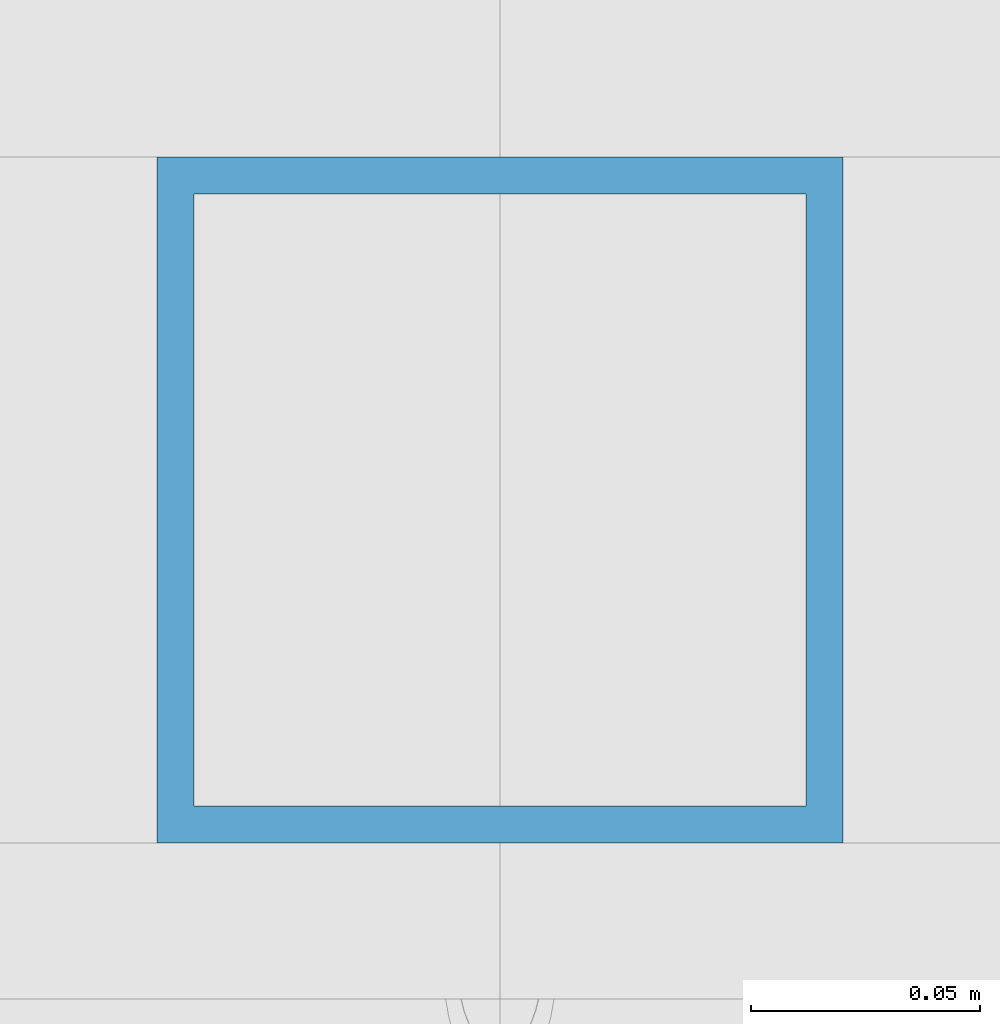
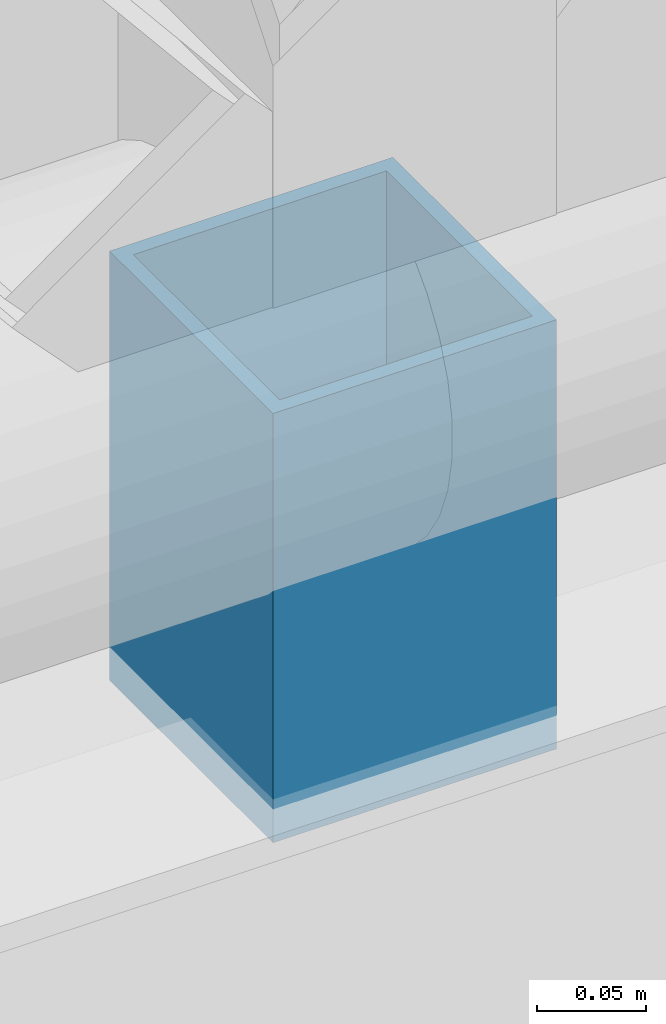
# One storey, part 168 of 223: 1 member.
"""IFC4 building model written with IfcOpenShell, lengths in metres."""

from ifc_helpers import new_model, si_unit, direction, frame, origin, origin_2d, place, context, subcontext, project, spatial, hollow_rectangle, extrude, material, material_profile, profile_set, type_object, element, save


model = new_model("IFC4")

# Units and contexts
model_context = context("Model", 3, precision=1e-05, world=origin(), true_north=direction((0.0, 1.0)))
body_context = subcontext(model_context, "Body", "Model", "MODEL_VIEW")
ifc_project = project(units=[si_unit("LENGTHUNIT", "METRE"), si_unit("AREAUNIT", "SQUARE_METRE"), si_unit("VOLUMEUNIT", "CUBIC_METRE"), si_unit("PLANEANGLEUNIT", "RADIAN"), si_unit("MASSUNIT", "GRAM", prefix="KILO")], contexts=[model_context])

# Site, building, storey
site_placement = place(None, origin())
site = spatial("IfcSite", under=ifc_project, at=site_placement, CompositionType="ELEMENT")
building_placement = place(site_placement, origin())
building = spatial("IfcBuilding", under=site, at=building_placement, Name="Dornveld Trade and Exhibition Forum", CompositionType="ELEMENT")
storey_placement = place(building_placement, frame((0.0, 0.0, 6.0)))
storey = spatial("IfcBuildingStorey", under=building, at=storey_placement, Name="L01", CompositionType="ELEMENT", Elevation=6.0)

# Member
ifc_material = material(Name="Steel S355J2", Category="steel")
ifc_material_profile = material_profile(ifc_material, hollow_rectangle(XDim=0.14990234375, YDim=0.14990234375, WallThickness=0.008056640625, at=origin_2d()), Name="SHS 150x150x8")
ifc_profile_set = profile_set([ifc_material_profile], Name="Steel S355J2")
member_type = type_object("IfcMemberType", Name="MEM-ARCH-STR", PredefinedType="STRUT", material=ifc_profile_set)
member_placement = place(storey_placement, frame((175.5, 45.0, 5.760009765625), z_axis=(0.0, 0.0, 1.0), x_axis=(1.0, 0.0, 0.0)))
element("IfcMember", 1, at=member_placement, inside=storey, type_object=member_type, Name="Congress gable truss 6 mid-panel bearing strut", PredefinedType="STRUT", context=body_context, shape_type="SweptSolid", body=[
    extrude(hollow_rectangle(XDim=0.14990234375, YDim=0.14990234375, WallThickness=0.008056640625, at=origin_2d()), origin(), (0.0, 0.0, 1.0), 0.239990234375),
])

save(model, "model.ifc")
